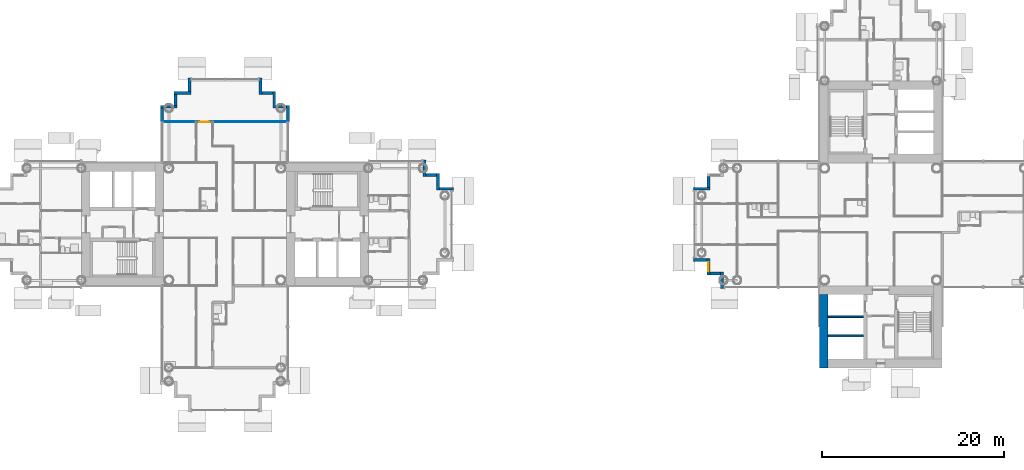
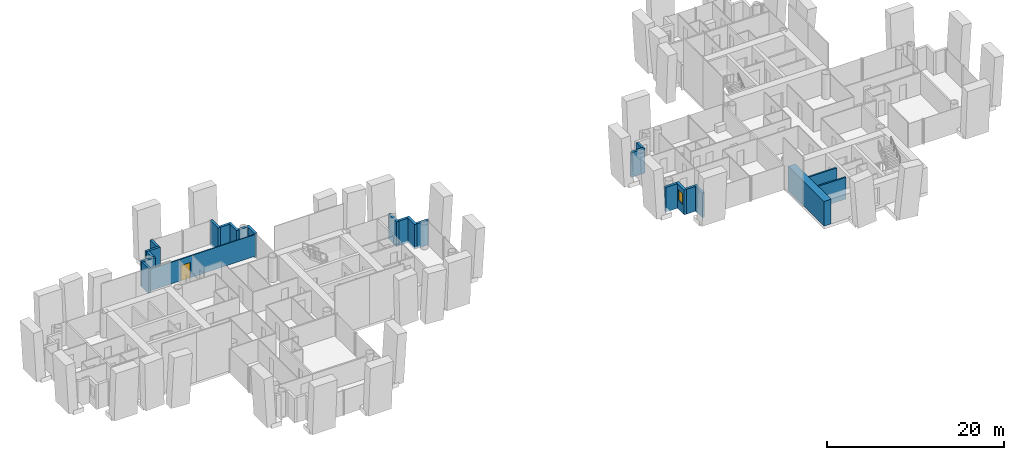
# One storey, part 11 of 21: 24 walls, 1 door, 1 window, 2 openings.
"""IFC4 building model written with IfcOpenShell, lengths in metres."""

from ifc_helpers import new_model, si_unit, direction, frame, frame_2d, origin, place, context, subcontext, project, spatial, rectangle, extrude, material, layer, layer_set, type_object, element, fill, save


model = new_model("IFC4")

# Units and contexts
model_context = context("Model", 3, precision=1e-05, world=origin(), true_north=direction((0.0, 1.0)))
body_context = subcontext(model_context, "Body", "Model", "MODEL_VIEW")
ifc_project = project(units=[si_unit("LENGTHUNIT", "METRE"), si_unit("AREAUNIT", "SQUARE_METRE"), si_unit("VOLUMEUNIT", "CUBIC_METRE"), si_unit("PLANEANGLEUNIT", "RADIAN"), si_unit("MASSUNIT", "GRAM", prefix="KILO")], contexts=[model_context])

# Site, building, storey
site_placement = place(None, origin())
site = spatial("IfcSite", under=ifc_project, at=site_placement, CompositionType="ELEMENT")
building_placement = place(site_placement, origin())
building = spatial("IfcBuilding", under=site, at=building_placement, Name="Ipe Terrace Towers", CompositionType="ELEMENT")
storey_placement = place(building_placement, frame((0.0, 0.0, 114.0)))
storey = spatial("IfcBuildingStorey", under=building, at=storey_placement, Name="L31", CompositionType="ELEMENT", Elevation=114.0)

# Walls
ifc_material_1 = material(Name="Concrete C40/50 with buff precast cladding", Category="concrete")
ifc_layer_1 = layer(ifc_material_1, 0.320068359375)
ifc_layer_set_1 = layer_set([ifc_layer_1], Name="BUFF CLADDING WALL 320")
wall_type_1 = type_object("IfcWallType", Name="BUFF CLADDING WALL 320", PredefinedType="STANDARD", material=ifc_layer_set_1)
wall_1_placement = place(storey_placement, frame((-10.929931640625, 3.909912109375, -0.300048828125), z_axis=(0.0, 0.0, 1.0), x_axis=(-1.0, 0.0, 0.0)))
element("IfcWall", 1, at=wall_1_placement, inside=storey, type_object=wall_type_1, Name="T1-W-L31-26a wall", PredefinedType="STANDARD", context=body_context, shape_type="SweptSolid", body=[
    extrude(rectangle(XDim=1.5, YDim=0.320068359375, at=frame_2d((0.75, 0.0))), origin(), (0.0, 0.0, 1.0), 3.400146484375),
])
wall_2_placement = place(storey_placement, frame((-12.590087890625, 3.75, -0.300048828125), z_axis=(0.0, 0.0, 1.0), x_axis=(0.0, 1.0, 0.0)))
element("IfcWall", 2, at=wall_2_placement, inside=storey, type_object=wall_type_1, Name="T1-W-L31-27a wall", PredefinedType="STANDARD", context=body_context, shape_type="SweptSolid", body=[
    extrude(rectangle(XDim=1.820068359375, YDim=0.320068359375, at=frame_2d((0.91015625, 0.0))), origin(), (0.0, 0.0, 1.0), 3.400146484375),
])
wall_3_placement = place(storey_placement, frame((-12.75, 5.409912109375, -0.300048828125), z_axis=(0.0, 0.0, 1.0), x_axis=(-1.0, 0.0, 0.0)))
element("IfcWall", 3, at=wall_3_placement, inside=storey, type_object=wall_type_1, Name="T1-W-L31-28a wall", PredefinedType="STANDARD", context=body_context, shape_type="SweptSolid", body=[
    extrude(rectangle(XDim=1.179931640625, YDim=0.320068359375, at=frame_2d((0.58984375, 0.0))), origin(), (0.0, 0.0, 1.0), 3.400146484375),
])
for number, where, z_axis, x_axis, name in (
    (4, (-14.090087890625, 5.25, -0.300048828125), (0.0, 0.0, 1.0), (0.0, 1.0, 0.0), "T1-W-L31-29a wall"),
    (5, (-29.090087890625, 11.25, -0.300048828125), (0.0, 0.0, 1.0), (0.0, 1.0, 0.0), "T1-W-L31-33a wall"),
):
    element("IfcWall", number, at=place(storey_placement, frame(where, z_axis=z_axis, x_axis=x_axis)), inside=storey, type_object=wall_type_1, Name=name, PredefinedType="STANDARD", context=body_context, shape_type="SweptSolid", body=[
        extrude(rectangle(XDim=1.820068359375, YDim=0.320068359375, at=frame_2d((0.91015625, 0.0))), origin(), (0.0, 0.0, 1.0), 3.400146484375),
    ])
wall_4_placement = place(storey_placement, frame((-29.25, 12.909912109375, -0.300048828125), z_axis=(0.0, 0.0, 1.0), x_axis=(-1.0, 0.0, 0.0)))
element("IfcWall", 6, at=wall_4_placement, inside=storey, type_object=wall_type_1, Name="T1-W-L31-34a wall", PredefinedType="STANDARD", context=body_context, shape_type="SweptSolid", body=[
    extrude(rectangle(XDim=1.179931640625, YDim=0.320068359375, at=frame_2d((0.58984375, 0.0))), origin(), (0.0, 0.0, 1.0), 3.400146484375),
])
wall_5_placement = place(storey_placement, frame((-30.590087890625, 12.75, -0.300048828125), z_axis=(0.0, 0.0, 1.0), x_axis=(0.0, 1.0, 0.0)))
element("IfcWall", 7, at=wall_5_placement, inside=storey, type_object=wall_type_1, Name="T1-W-L31-35a wall", PredefinedType="STANDARD", context=body_context, shape_type="SweptSolid", body=[
    extrude(rectangle(XDim=1.820068359375, YDim=0.320068359375, at=frame_2d((0.91015625, 0.0))), origin(), (0.0, 0.0, 1.0), 3.400146484375),
])
wall_6_placement = place(storey_placement, frame((-30.75, 14.409912109375, -0.300048828125), z_axis=(0.0, 0.0, 1.0), x_axis=(-1.0, 0.0, 0.0)))
element("IfcWall", 8, at=wall_6_placement, inside=storey, type_object=wall_type_1, Name="T1-W-L31-36a wall", PredefinedType="STANDARD", context=body_context, shape_type="SweptSolid", body=[
    extrude(rectangle(XDim=1.179931640625, YDim=0.320068359375, at=frame_2d((0.58984375, 0.0))), origin(), (0.0, 0.0, 1.0), 3.400146484375),
])
wall_7_placement = place(storey_placement, frame((-32.090087890625, 14.25, -0.300048828125), z_axis=(0.0, 0.0, 1.0), x_axis=(0.0, 1.0, 0.0)))
element("IfcWall", 9, at=wall_7_placement, inside=storey, type_object=wall_type_1, Name="T1-W-L31-37a wall", PredefinedType="STANDARD", context=body_context, shape_type="SweptSolid", body=[
    extrude(rectangle(XDim=1.820068359375, YDim=0.320068359375, at=frame_2d((0.91015625, 0.0))), origin(), (0.0, 0.0, 1.0), 3.400146484375),
])
wall_8_placement = place(storey_placement, frame((-39.909912109375, 16.070068359375, -0.300048828125), z_axis=(0.0, 0.0, 1.0), x_axis=(0.0, -1.0, 0.0)))
element("IfcWall", 10, at=wall_8_placement, inside=storey, type_object=wall_type_1, Name="T1-W-L31-39a wall", PredefinedType="STANDARD", context=body_context, shape_type="SweptSolid", body=[
    extrude(rectangle(XDim=1.5, YDim=0.320068359375, at=frame_2d((0.75, 0.0))), origin(), (0.0, 0.0, 1.0), 3.400146484375),
])
wall_9_placement = place(storey_placement, frame((-39.75, 14.409912109375, -0.300048828125), z_axis=(0.0, 0.0, 1.0), x_axis=(-1.0, 0.0, 0.0)))
element("IfcWall", 11, at=wall_9_placement, inside=storey, type_object=wall_type_1, Name="T1-W-L31-40a wall", PredefinedType="STANDARD", context=body_context, shape_type="SweptSolid", body=[
    extrude(rectangle(XDim=1.820068359375, YDim=0.320068359375, at=frame_2d((0.91015625, 0.0))), origin(), (0.0, 0.0, 1.0), 3.400146484375),
])
wall_10_placement = place(storey_placement, frame((-41.409912109375, 14.25, -0.300048828125), z_axis=(0.0, 0.0, 1.0), x_axis=(0.0, -1.0, 0.0)))
element("IfcWall", 12, at=wall_10_placement, inside=storey, type_object=wall_type_1, Name="T1-W-L31-41a wall", PredefinedType="STANDARD", context=body_context, shape_type="SweptSolid", body=[
    extrude(rectangle(XDim=1.179931640625, YDim=0.320068359375, at=frame_2d((0.58984375, 0.0))), origin(), (0.0, 0.0, 1.0), 3.400146484375),
])
wall_11_placement = place(storey_placement, frame((-41.25, 12.909912109375, -0.300048828125), z_axis=(0.0, 0.0, 1.0), x_axis=(-1.0, 0.0, 0.0)))
element("IfcWall", 13, at=wall_11_placement, inside=storey, type_object=wall_type_1, Name="T1-W-L31-42a wall", PredefinedType="STANDARD", context=body_context, shape_type="SweptSolid", body=[
    extrude(rectangle(XDim=1.820068359375, YDim=0.320068359375, at=frame_2d((0.91015625, 0.0))), origin(), (0.0, 0.0, 1.0), 3.400146484375),
])
wall_12_placement = place(storey_placement, frame((-42.909912109375, 12.75, -0.300048828125), z_axis=(0.0, 0.0, 1.0), x_axis=(0.0, -1.0, 0.0)))
element("IfcWall", 14, at=wall_12_placement, inside=storey, type_object=wall_type_1, Name="T1-W-L31-43a wall", PredefinedType="STANDARD", context=body_context, shape_type="SweptSolid", body=[
    extrude(rectangle(XDim=1.5, YDim=0.320068359375, at=frame_2d((0.75, 0.0))), origin(), (0.0, 0.0, 1.0), 3.400146484375),
])
wall_13_placement = place(storey_placement, frame((17.090087890625, 5.25, -0.300048828125), z_axis=(0.0, 0.0, 1.0), x_axis=(0.0, -1.0, 0.0)))
element("IfcWall", 15, at=wall_13_placement, inside=storey, type_object=wall_type_1, Name="T2-W-L31-32a wall", PredefinedType="STANDARD", context=body_context, shape_type="SweptSolid", body=[
    extrude(rectangle(XDim=1.179931640625, YDim=0.320068359375, at=frame_2d((0.58984375, 0.0))), origin(), (0.0, 0.0, 1.0), 3.400146484375),
])
wall_14_placement = place(storey_placement, frame((17.25, 3.909912109375, -0.300048828125), z_axis=(0.0, 0.0, 1.0), x_axis=(-1.0, 0.0, 0.0)))
element("IfcWall", 16, at=wall_14_placement, inside=storey, type_object=wall_type_1, Name="T2-W-L31-33a wall", PredefinedType="STANDARD", context=body_context, shape_type="SweptSolid", body=[
    extrude(rectangle(XDim=1.820068359375, YDim=0.320068359375, at=frame_2d((0.91015625, 0.0))), origin(), (0.0, 0.0, 1.0), 3.400146484375),
])
wall_15_placement = place(storey_placement, frame((15.429931640625, -3.909912109375, -0.300048828125), z_axis=(0.0, 0.0, 1.0), x_axis=(1.0, 0.0, 0.0)))
element("IfcWall", 17, at=wall_15_placement, inside=storey, type_object=wall_type_1, Name="T2-W-L31-35a wall", PredefinedType="STANDARD", context=body_context, shape_type="SweptSolid", body=[
    extrude(rectangle(XDim=1.5, YDim=0.320068359375, at=frame_2d((0.75, 0.0))), origin(), (0.0, 0.0, 1.0), 3.400146484375),
])

# Wall, opening, window
wall_16_placement = place(storey_placement, frame((17.090087890625, -3.75, -0.300048828125), z_axis=(0.0, 0.0, 1.0), x_axis=(0.0, -1.0, 0.0)))
wall_16 = element("IfcWall", 18, at=wall_16_placement, inside=storey, type_object=wall_type_1, Name="T2-W-L31-36a wall", PredefinedType="STANDARD", context=body_context, shape_type="SweptSolid", body=[
    extrude(rectangle(XDim=1.820068359375, YDim=0.320068359375, at=frame_2d((0.91015625, 0.0))), origin(), (0.0, 0.0, 1.0), 3.400146484375),
])
opening_1_placement = place(wall_16_placement, frame((0.409912109375, 0.0, 1.199951171875)))
opening_1 = element("IfcOpeningElement", 19, at=opening_1_placement, cuts=wall_16, Name="Opening T2-W-05-L31-01", PredefinedType="OPENING", context=body_context, shape_type="SweptSolid", body=[
    extrude(rectangle(XDim=1.0, YDim=1.5, at=frame_2d((0.5, 0.75))), frame((0.0, 0.169921875, 0.0), z_axis=(0.0, -1.0, 0.0), x_axis=(1.0, 0.0, 0.0)), (0.0, 0.0, 1.0), 0.340087890625),
])
ifc_material_2 = material(Name="Glass, clear laminated", Category="glass")
window_type = type_object("IfcWindowType", Name="DWELLING WINDOW 1000 x 1500", PartitioningType="SINGLE_PANEL", PredefinedType="WINDOW", material=ifc_material_2)
window_placement = place(opening_1_placement, origin())
window = element("IfcWindow", 20, at=window_placement, inside=storey, type_object=window_type, Name="W-05 window", OverallHeight=1.5, OverallWidth=1.0, PartitioningType="SINGLE_PANEL", PredefinedType="WINDOW", context=body_context, shape_type="SweptSolid", body=[
    extrude(rectangle(XDim=1.0, YDim=1.5, at=frame_2d((0.5, 0.75))), frame((0.0, 0.030029296875, 0.0), z_axis=(0.0, -1.0, 0.0), x_axis=(1.0, 0.0, 0.0)), (0.0, 0.0, 1.0), 0.06005859375),
])
fill(opening_1, window)

# Walls
wall_17_placement = place(storey_placement, frame((17.25, -5.409912109375, -0.300048828125), z_axis=(0.0, 0.0, 1.0), x_axis=(1.0, 0.0, 0.0)))
element("IfcWall", 21, at=wall_17_placement, inside=storey, type_object=wall_type_1, Name="T2-W-L31-37a wall", PredefinedType="STANDARD", context=body_context, shape_type="SweptSolid", body=[
    extrude(rectangle(XDim=1.179931640625, YDim=0.320068359375, at=frame_2d((0.58984375, 0.0))), origin(), (0.0, 0.0, 1.0), 3.400146484375),
])
wall_18_placement = place(storey_placement, frame((18.590087890625, -5.25, -0.300048828125), z_axis=(0.0, 0.0, 1.0), x_axis=(0.0, -1.0, 0.0)))
element("IfcWall", 22, at=wall_18_placement, inside=storey, type_object=wall_type_1, Name="T2-W-L31-38a wall", PredefinedType="STANDARD", context=body_context, shape_type="SweptSolid", body=[
    extrude(rectangle(XDim=1.820068359375, YDim=0.320068359375, at=frame_2d((0.91015625, 0.0))), origin(), (0.0, 0.0, 1.0), 3.400146484375),
])

# Wall, opening, door
ifc_material_3 = material(Name="Gypsum board partition", Category="plasterboard")
ifc_layer_2 = layer(ifc_material_3, 0.10009765625)
ifc_layer_set_2 = layer_set([ifc_layer_2], Name="Gypsum board partition 100 mm")
wall_type_2 = type_object("IfcWallType", Name="Gypsum board partition 100 mm", PredefinedType="PARTITIONING", material=ifc_layer_set_2)
wall_19_placement = place(storey_placement, frame((-42.85009765625, 11.25, 0.0), z_axis=(0.0, 0.0, 1.0), x_axis=(1.0, 0.0, 0.0)))
wall_19 = element("IfcWall", 23, at=wall_19_placement, inside=storey, type_object=wall_type_2, Name="Gypsum board partition T1 L31 W47", PredefinedType="PARTITIONING", context=body_context, shape_type="SweptSolid", body=[
    extrude(rectangle(XDim=13.7001953125, YDim=0.10009765625, at=frame_2d((6.85009765625, 0.0))), origin(), (0.0, 0.0, 1.0), 3.0),
])
opening_2_placement = place(wall_19_placement, frame((4.0, 0.0, 0.0)))
opening_2 = element("IfcOpeningElement", 24, at=opening_2_placement, cuts=wall_19, Name="Opening T1-Z2F-11", PredefinedType="OPENING", context=body_context, shape_type="SweptSolid", body=[
    extrude(rectangle(XDim=1.199951171875, YDim=2.10009765625, at=frame_2d((0.60009765625, 1.050048828125))), frame((0.0, 0.06005859375, 0.0), z_axis=(0.0, -1.0, 0.0), x_axis=(1.0, 0.0, 0.0)), (0.0, 0.0, 1.0), 0.1201171875),
])
ifc_material_4 = material(Name="Timber door leaf", Category="wood")
door_type = type_object("IfcDoorType", Name="Lounge door 1200 x 2100", OperationType="NOTDEFINED", PredefinedType="DOOR", material=ifc_material_4)
door_placement = place(opening_2_placement, origin())
door = element("IfcDoor", 25, at=door_placement, inside=storey, type_object=door_type, Name="Lounge door T1-Z2F-11", OperationType="SINGLE_SWING_RIGHT", OverallHeight=2.10009765625, OverallWidth=1.199951171875, PredefinedType="DOOR", context=body_context, shape_type="SweptSolid", body=[
    extrude(rectangle(XDim=1.199951171875, YDim=2.10009765625, at=frame_2d((0.60009765625, 1.050048828125))), frame((0.0, 0.02490234375, 0.0), z_axis=(0.0, -1.0, 0.0), x_axis=(1.0, 0.0, 0.0)), (0.0, 0.0, 1.0), 0.050048828125),
])
fill(opening_2, door)

# Walls
ifc_material_5 = material(Name="Gypsum board party wall", Category="plasterboard")
ifc_layer_3 = layer(ifc_material_5, 0.199951171875)
ifc_layer_set_3 = layer_set([ifc_layer_3], Name="Gypsum board party wall 200 mm")
wall_type_3 = type_object("IfcWallType", Name="Gypsum board party wall 200 mm", PredefinedType="SOLIDWALL", material=ifc_layer_set_3)
for number, where, z_axis, x_axis, name in (
    (26, (30.199951171875, -10.14990234375, 0.0), (0.0, 0.0, 1.0), (1.0, 0.0, 0.0), "Gypsum board party wall T2 L31 t2c2-shaft-div1"),
    (27, (30.199951171875, -12.25, 0.0), (0.0, 0.0, 1.0), (1.0, 0.0, 0.0), "Gypsum board party wall T2 L31 t2c2-shaft-div2"),
):
    element("IfcWall", number, at=place(storey_placement, frame(where, z_axis=z_axis, x_axis=x_axis)), inside=storey, type_object=wall_type_3, Name=name, PredefinedType="SOLIDWALL", context=body_context, shape_type="SweptSolid", body=[
        extrude(rectangle(XDim=3.900146484375, YDim=0.199951171875, at=frame_2d((1.9501953125, 0.0))), origin(), (0.0, 0.0, 1.0), 3.0),
    ])
ifc_material_6 = material(Name="Concrete C50/60", Category="concrete")
ifc_layer_4 = layer(ifc_material_6, 0.949951171875)
ifc_layer_set_4 = layer_set([ifc_layer_4], Name="RW950 CORE WALL 950 C50-60")
wall_type_4 = type_object("IfcWallType", Name="RW950 CORE WALL 950 C50-60", PredefinedType="SHEAR", material=ifc_layer_set_4)
wall_20_placement = place(storey_placement, frame((29.72509765625, -7.699951171875, 0.0), z_axis=(0.0, 0.0, 1.0), x_axis=(0.0, -1.0, 0.0)))
element("IfcWall", 28, at=wall_20_placement, inside=storey, type_object=wall_type_4, Name="Core wall T2-C2-Z2-W04", PredefinedType="SHEAR", context=body_context, shape_type="SweptSolid", body=[
    extrude(rectangle(XDim=8.050048828125, YDim=0.949951171875, at=frame_2d((4.02490234375, 0.0))), origin(), (0.0, 0.0, 1.0), 3.39990234375),
])

save(model, "model.ifc")
